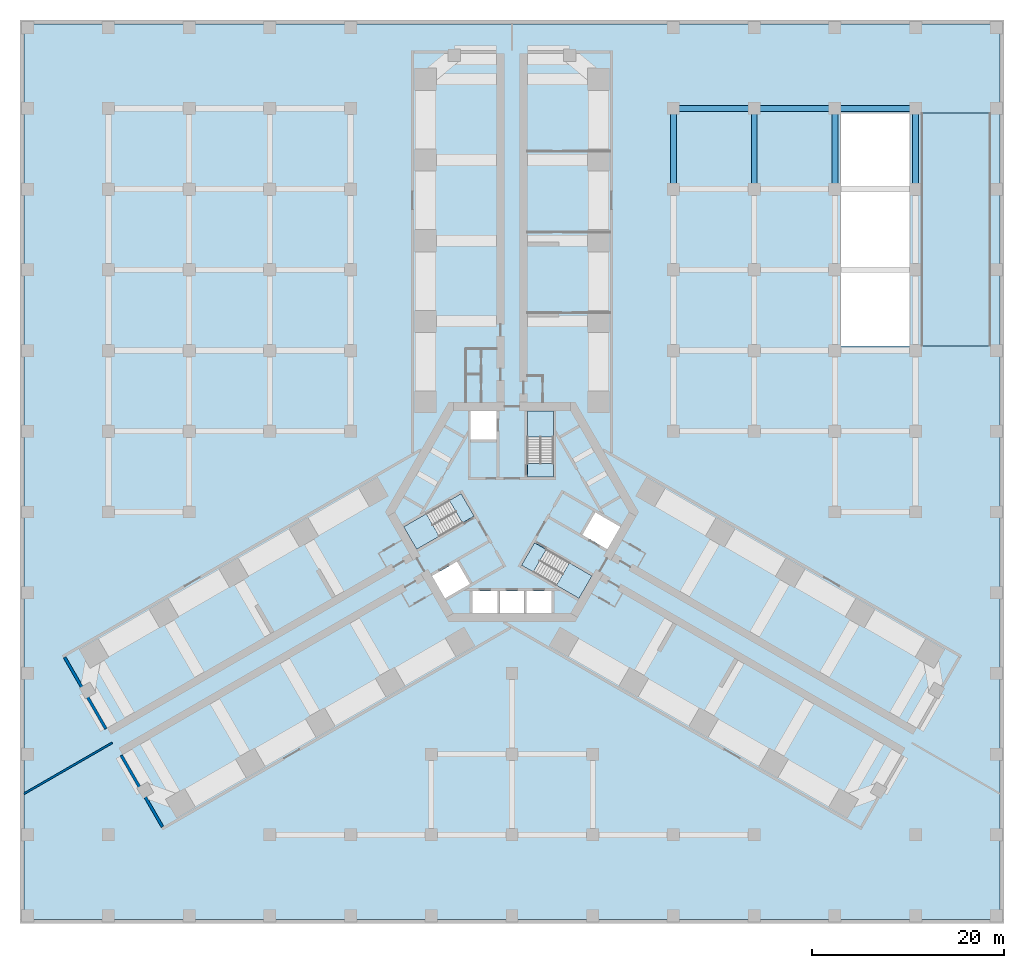
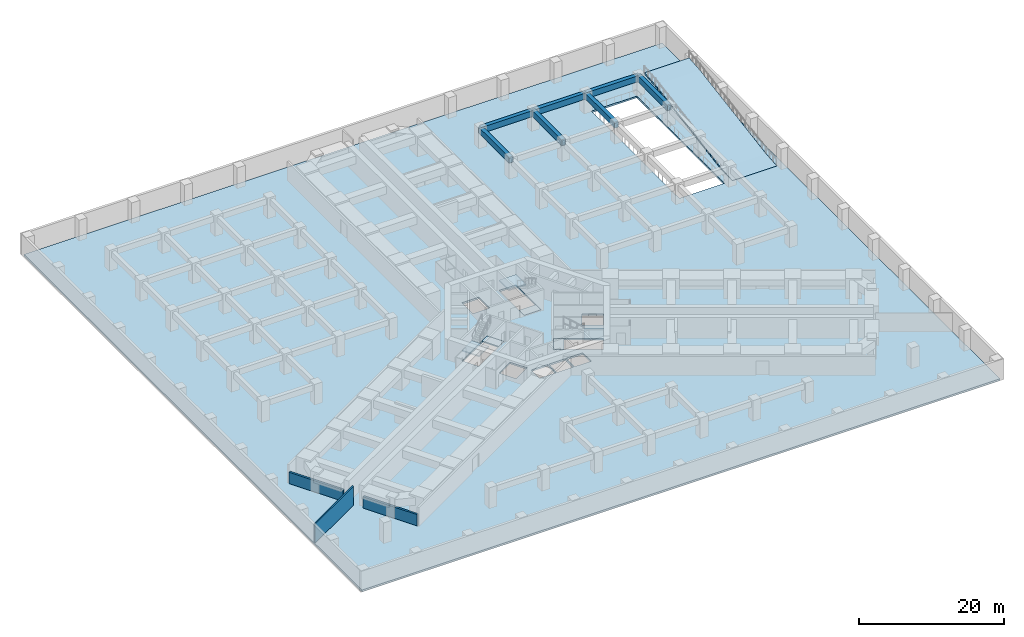
# One storey, part 3 of 11: 8 slabs, 7 beams, 3 walls, 3 elements without a shape of their own.
"""IFC4 building model written with IfcOpenShell, lengths in metres."""

from ifc_helpers import new_model, si_unit, direction, frame, frame_2d, origin, origin_2d, place, context, subcontext, project, spatial, polyline, rectangle, outline, extrude, material, layer, layer_set, material_profile, profile_set, type_object, element, aggregate, save


model = new_model("IFC4")

# Units and contexts
model_context = context("Model", 3, precision=1e-05, world=origin(), true_north=direction((0.0, 1.0)))
body_context = subcontext(model_context, "Body", "Model", "MODEL_VIEW")
ifc_project = project(units=[si_unit("LENGTHUNIT", "METRE"), si_unit("AREAUNIT", "SQUARE_METRE"), si_unit("VOLUMEUNIT", "CUBIC_METRE"), si_unit("PLANEANGLEUNIT", "RADIAN"), si_unit("MASSUNIT", "GRAM", prefix="KILO")], contexts=[model_context])

# Site, building, storey
site_placement = place(None, origin())
site = spatial("IfcSite", under=ifc_project, at=site_placement, CompositionType="ELEMENT")
building_placement = place(site_placement, origin())
building = spatial("IfcBuilding", under=site, at=building_placement, Name="Impinga Residences", CompositionType="ELEMENT")
storey_placement = place(building_placement, frame((0.0, 0.0, -7.0)))
storey = spatial("IfcBuildingStorey", under=building, at=storey_placement, Name="B2", CompositionType="ELEMENT", Elevation=-7.0)

# Beams
ifc_material_1 = material(Name="Concrete C60/75", Category="concrete")
ifc_material_profile = material_profile(ifc_material_1, rectangle(XDim=0.60009765625, YDim=1.0, at=origin_2d()), Name="RC 600x1000")
ifc_profile_set = profile_set([ifc_material_profile], Name="Concrete C60/75")
beam_type = type_object("IfcBeamType", Name="PB1 600x1000 basement and ground floor beam", PredefinedType="BEAM", material=ifc_profile_set)
beam_1_placement = place(storey_placement, frame((16.800048828125, 42.0, 2.699951171875), z_axis=(1.0, 0.0, 0.0), x_axis=(0.0, 1.0, 0.0)))
element("IfcBeam", 1, at=beam_1_placement, inside=storey, type_object=beam_type, Name="Beam PB1 L/9-10 level B1", PredefinedType="BEAM", context=body_context, shape_type="SweptSolid", body=[
    extrude(rectangle(XDim=0.60009765625, YDim=1.0, at=origin_2d()), origin(), (0.0, 0.0, 1.0), 8.39990234375),
])
beam_2_placement = place(storey_placement, frame((25.199951171875, 42.0, 2.699951171875), z_axis=(1.0, 0.0, 0.0), x_axis=(0.0, 1.0, 0.0)))
element("IfcBeam", 2, at=beam_2_placement, inside=storey, type_object=beam_type, Name="Beam PB1 L/10-11 level B1", PredefinedType="BEAM", context=body_context, shape_type="SweptSolid", body=[
    extrude(rectangle(XDim=0.60009765625, YDim=1.0, at=origin_2d()), origin(), (0.0, 0.0, 1.0), 8.400146484375),
])
for number, where, z_axis, x_axis, name in (
    (3, (33.60009765625, 42.0, 2.699951171875), (1.0, 0.0, 0.0), (0.0, 1.0, 0.0), "Beam PB1 L/11-12 level B1"),
    (4, (16.800048828125, 33.60009765625, 2.699951171875), (0.0, 1.0, 0.0), (-1.0, 0.0, 0.0), "Beam PB1 9/K-L level B1"),
    (5, (25.199951171875, 33.60009765625, 2.699951171875), (0.0, 1.0, 0.0), (-1.0, 0.0, 0.0), "Beam PB1 10/K-L level B1"),
    (6, (33.60009765625, 33.60009765625, 2.699951171875), (0.0, 1.0, 0.0), (-1.0, 0.0, 0.0), "Beam PB1 11/K-L level B1"),
    (7, (42.0, 33.60009765625, 2.699951171875), (0.0, 1.0, 0.0), (-1.0, 0.0, 0.0), "Beam PB1 12/K-L level B1"),
):
    element("IfcBeam", number, at=place(storey_placement, frame(where, z_axis=z_axis, x_axis=x_axis)), inside=storey, type_object=beam_type, Name=name, PredefinedType="BEAM", context=body_context, shape_type="SweptSolid", body=[
        extrude(rectangle(XDim=0.60009765625, YDim=1.0, at=origin_2d()), origin(), (0.0, 0.0, 1.0), 8.39990234375),
    ])

# Slab
ifc_layer_1 = layer(ifc_material_1, 0.300048828125)
ifc_layer_set_1 = layer_set([ifc_layer_1], Name="Concrete C60/75")
slab_type_1 = type_object("IfcSlabType", Name="FS2 podium, plant and crown floor slab 300", PredefinedType="FLOOR", material=ifc_layer_set_1)
slab_1_placement = place(storey_placement, frame((0.0, 0.0, -0.300048828125)))
element("IfcSlab", 8, at=slab_1_placement, inside=storey, type_object=slab_type_1, Name="Floor slab FS2 B2", PredefinedType="FLOOR", context=body_context, shape_type="SweptSolid", body=[
    extrude(outline(polyline([(-50.800048828125, 50.800048828125), (50.800048828125, 50.800048828125), (50.800048828125, -42.39990234375), (-50.800048828125, -42.39990234375), (-50.800048828125, 50.800048828125)]), holes=[polyline([(-4.10009765625, -10.531494140625), (-1.5, -10.531494140625), (-1.5, -8.2314453125), (-4.10009765625, -8.2314453125), (-4.10009765625, -10.531494140625)]), polyline([(-1.300048828125, -10.531494140625), (1.300048828125, -10.531494140625), (1.300048828125, -8.2314453125), (-1.300048828125, -8.2314453125), (-1.300048828125, -10.531494140625)]), polyline([(1.5, -10.531494140625), (4.10009765625, -10.531494140625), (4.10009765625, -8.2314453125), (1.5, -8.2314453125), (1.5, -10.531494140625)]), polyline([(-5.72119140625, -5.150634765625), (-8.320556640625, -6.6513671875), (-6.970458984375, -8.98974609375), (-4.37109375, -7.489013671875), (-5.72119140625, -5.150634765625)]), polyline([(0.99365234375, -5.538818359375), (6.970458984375, -8.98974609375), (8.320556640625, -6.6513671875), (2.34375, -3.20068359375), (0.99365234375, -5.538818359375)]), polyline([(9.920654296875, -3.880126953125), (11.2705078125, -1.541748046875), (8.671142578125, -0.041015625), (7.3212890625, -2.37939453125), (9.920654296875, -3.880126953125)]), polyline([(-11.2705078125, -1.541748046875), (-9.920654296875, -3.880126953125), (-3.943603515625, -0.429443359375), (-5.293701171875, 1.908935546875), (-11.2705078125, -1.541748046875)]), polyline([(4.300048828125, 10.531494140625), (1.60009765625, 10.531494140625), (1.60009765625, 3.6298828125), (4.300048828125, 3.6298828125), (4.300048828125, 10.531494140625)]), polyline([(-1.60009765625, 7.530029296875), (-1.60009765625, 10.531494140625), (-4.300048828125, 10.531494140625), (-4.300048828125, 7.530029296875), (-1.60009765625, 7.530029296875)]), polyline([(41.39990234375, 17.300048828125), (41.39990234375, 41.5), (34.199951171875, 41.5), (34.199951171875, 17.300048828125), (41.39990234375, 17.300048828125)])]), origin(), (0.0, 0.0, 1.0), 0.300048828125),
])

# Stair, slabs
ifc_material_2 = material(Name="Concrete C40/50", Category="concrete")
stair_type = type_object("IfcStairType", Name="STR core stair 3500 storey, 22 risers", PredefinedType="HALF_TURN_STAIR", material=ifc_material_2)
stair_1_placement = place(storey_placement, origin())
stair_1 = element("IfcStair", 9, at=stair_1_placement, inside=storey, type_object=stair_type, Name="Stair ST1 B2", PredefinedType="HALF_TURN_STAIR")
ifc_layer_2 = layer(ifc_material_2, 0.199951171875)
ifc_layer_set_2 = layer_set([ifc_layer_2], Name="Concrete C40/50")
slab_type_2 = type_object("IfcSlabType", Name="LS1 stair landing 200", PredefinedType="LANDING", material=ifc_layer_set_2)
slab_2_placement = place(storey_placement, frame((0.0, 0.0, -0.199951171875)))
slab_2 = element("IfcSlab", 10, at=slab_2_placement, type_object=slab_type_2, Name="ST1 landing 1", PredefinedType="LANDING", context=body_context, shape_type="SweptSolid", body=[
    extrude(outline(polyline([(1.60009765625, 3.6298828125), (4.300048828125, 3.6298828125), (4.300048828125, 5.0400390625), (1.60009765625, 5.0400390625), (1.60009765625, 3.6298828125)])), origin(), (0.0, 0.0, 1.0), 0.199951171875),
])
slab_3_placement = place(storey_placement, frame((0.0, 0.0, 1.550048828125)))
slab_3 = element("IfcSlab", 11, at=slab_3_placement, type_object=slab_type_2, Name="ST1 landing 2", PredefinedType="LANDING", context=body_context, shape_type="SweptSolid", body=[
    extrude(outline(polyline([(1.60009765625, 7.820068359375), (4.300048828125, 7.820068359375), (4.300048828125, 10.531494140625), (1.60009765625, 10.531494140625), (1.60009765625, 7.820068359375)])), origin(), (0.0, 0.0, 1.0), 0.199951171875),
])
aggregate(stair_1, [slab_2, slab_3])

stair_2_placement = place(storey_placement, origin())
stair_2 = element("IfcStair", 12, at=stair_2_placement, inside=storey, type_object=stair_type, Name="Stair ST2 B2", PredefinedType="HALF_TURN_STAIR")
slab_4_placement = place(storey_placement, frame((0.0, 0.0, -0.199951171875)))
slab_4 = element("IfcSlab", 13, at=slab_4_placement, type_object=slab_type_2, Name="ST2 landing 1", PredefinedType="LANDING", context=body_context, shape_type="SweptSolid", body=[
    extrude(outline(polyline([(-3.943603515625, -0.429443359375), (-5.293701171875, 1.908935546875), (-6.5146484375, 1.203857421875), (-5.164794921875, -1.13427734375), (-3.943603515625, -0.429443359375)])), origin(), (0.0, 0.0, 1.0), 0.199951171875),
])
slab_5_placement = place(storey_placement, frame((0.0, 0.0, 1.550048828125)))
slab_5 = element("IfcSlab", 14, at=slab_5_placement, type_object=slab_type_2, Name="ST2 landing 2", PredefinedType="LANDING", context=body_context, shape_type="SweptSolid", body=[
    extrude(outline(polyline([(-7.572265625, -2.5244140625), (-8.92236328125, -0.18603515625), (-11.2705078125, -1.541748046875), (-9.920654296875, -3.880126953125), (-7.572265625, -2.5244140625)])), origin(), (0.0, 0.0, 1.0), 0.199951171875),
])
aggregate(stair_2, [slab_4, slab_5])

stair_3_placement = place(storey_placement, origin())
stair_3 = element("IfcStair", 15, at=stair_3_placement, inside=storey, type_object=stair_type, Name="Stair ST3 B2", PredefinedType="HALF_TURN_STAIR")
slab_6_placement = place(storey_placement, frame((0.0, 0.0, -0.199951171875)))
slab_6 = element("IfcSlab", 16, at=slab_6_placement, type_object=slab_type_2, Name="ST3 landing 1", PredefinedType="LANDING", context=body_context, shape_type="SweptSolid", body=[
    extrude(outline(polyline([(2.34375, -3.20068359375), (0.99365234375, -5.538818359375), (2.21484375, -6.243896484375), (3.564697265625, -3.90576171875), (2.34375, -3.20068359375)])), origin(), (0.0, 0.0, 1.0), 0.199951171875),
])
slab_7_placement = place(storey_placement, frame((0.0, 0.0, 1.550048828125)))
slab_7 = element("IfcSlab", 17, at=slab_7_placement, type_object=slab_type_2, Name="ST3 landing 2", PredefinedType="LANDING", context=body_context, shape_type="SweptSolid", body=[
    extrude(outline(polyline([(5.972412109375, -5.295654296875), (4.622314453125, -7.6337890625), (6.970458984375, -8.98974609375), (8.320556640625, -6.6513671875), (5.972412109375, -5.295654296875)])), origin(), (0.0, 0.0, 1.0), 0.199951171875),
])
aggregate(stair_3, [slab_6, slab_7])

# Slab
ifc_layer_3 = layer(ifc_material_1, 0.25)
ifc_layer_set_3 = layer_set([ifc_layer_3], Name="Concrete C60/75")
slab_type_3 = type_object("IfcSlabType", Name="RF1 car park ramp slab 250", PredefinedType="FLOOR", material=ifc_layer_set_3)
slab_8_placement = place(storey_placement, frame((42.64990234375, 17.300048828125, 0.0), z_axis=(-1.0, 0.0, 0.0), x_axis=(0.0, 0.99661255374, 0.082240000773)))
element("IfcSlab", 18, at=slab_8_placement, inside=storey, type_object=slab_type_3, Name="Car park ramp slab B2", PredefinedType="FLOOR", context=body_context, shape_type="SweptSolid", body=[
    extrude(outline(polyline([(0.0, 0.0), (3.0101968801624057, 2.7755575615628914e-17), (21.395618260336434, -1.4979399350213556), (24.40581514049884, -1.4979399350213554), (24.415790998580714, -1.4971167318886225), (24.394949904634945, -1.2445572028889835), (24.384974046553072, -1.2453804060217164), (21.374777166390665, -1.2453804060217162), (2.9893557862166347, 0.2525595289996391), (-0.020841093945771, 0.25255952899963907), (0.0, 0.0)])), origin(), (0.0, 0.0, -1.0), 7.10009765625),
])

# Walls
ifc_material_3 = material(Name="Concrete blockwork", Category="masonry")
ifc_layer_4 = layer(ifc_material_3, 0.199951171875)
ifc_layer_set_4 = layer_set([ifc_layer_4], Name="PW2 podium compartment wall 200")
wall_type_1 = type_object("IfcWallType", Name="PW2 podium compartment wall 200", PredefinedType="SOLIDWALL", material=ifc_layer_set_4)
wall_placement = place(storey_placement, frame((-41.596435546875, -24.015869140625, 0.0), z_axis=(0.0, 0.0, 1.0), x_axis=(-0.866034858292, -0.499983623955, 0.0)))
element("IfcWall", 19, at=wall_placement, inside=storey, type_object=wall_type_1, Name="Podium compartment wall B2:REG:W", PredefinedType="SOLIDWALL", context=body_context, shape_type="SweptSolid", body=[
    extrude(rectangle(XDim=10.627197265625, YDim=0.199951171875, at=frame_2d((5.3134765625, 0.0))), origin(), (0.0, 0.0, 1.0), 3.199951171875),
])
ifc_layer_5 = layer(ifc_material_3, 0.300048828125)
ifc_layer_set_5 = layer_set([ifc_layer_5], Name="PW3 podium wall on the wing face 300")
wall_type_2 = type_object("IfcWallType", Name="PW3 podium wall on the wing face 300", PredefinedType="SOLIDWALL", material=ifc_layer_set_5)
for number, where, z_axis, x_axis, name in (
    (20, (-40.666748046875, -25.326416015625, 0.0), (0.0, 0.0, 1.0), (0.500007509209, -0.866021068297, 0.0), "Podium wall on the wing face B2:END:WA"),
    (21, (-42.2666015625, -22.55517578125, 0.0), (0.0, 0.0, 1.0), (-0.500007509209, 0.866021068297, 0.0), "Podium wall on the wing face B2:END:WF"),
):
    element("IfcWall", number, at=place(storey_placement, frame(where, z_axis=z_axis, x_axis=x_axis)), inside=storey, type_object=wall_type_2, Name=name, PredefinedType="SOLIDWALL", context=body_context, shape_type="SweptSolid", body=[
        extrude(rectangle(XDim=8.599853515625, YDim=0.300048828125, at=frame_2d((4.2998046875, 0.0))), origin(), (0.0, 0.0, 1.0), 1.89990234375),
    ])

save(model, "model.ifc")
